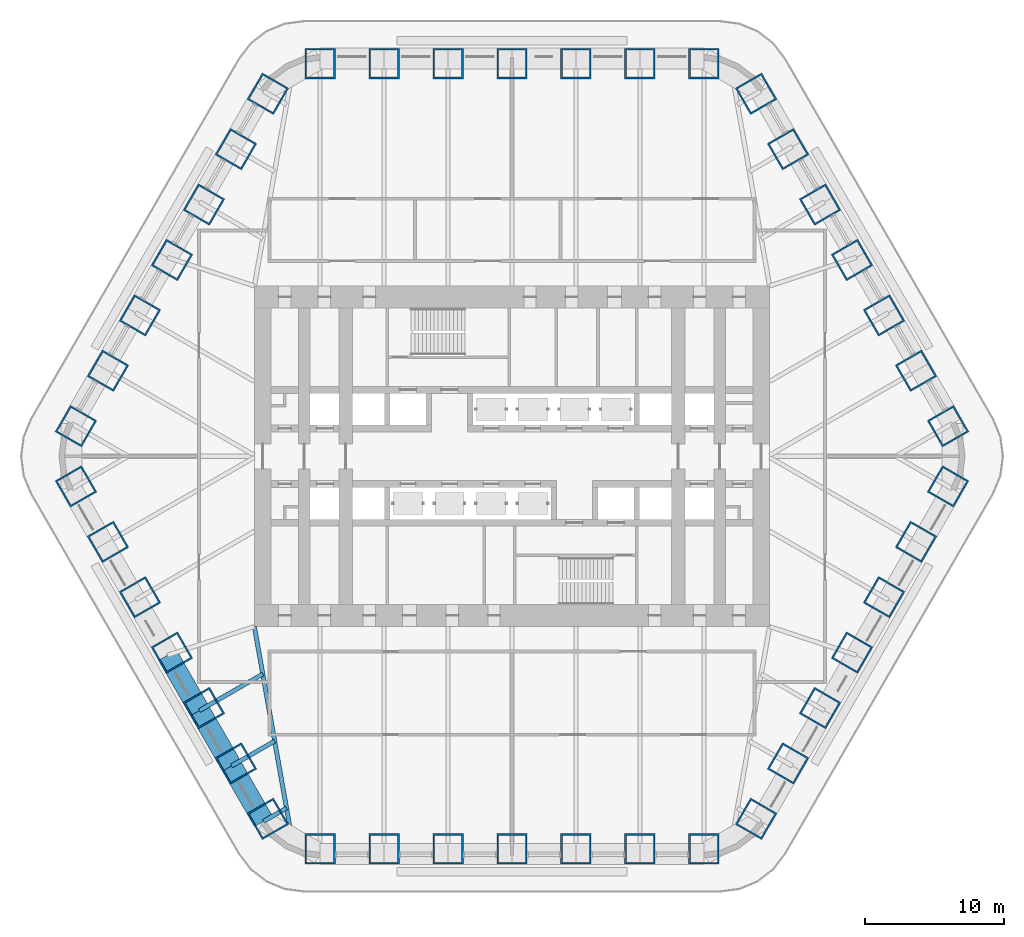
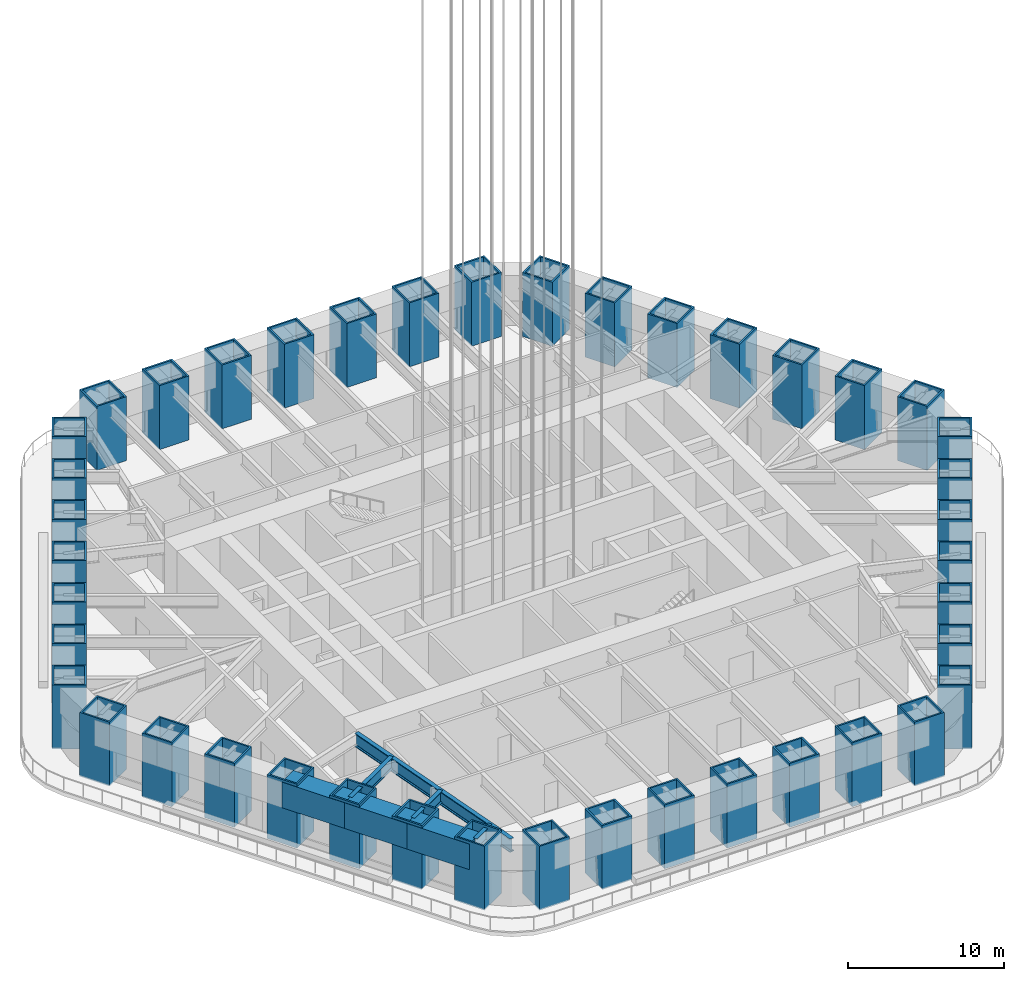
# One storey, part 1 of 15: 42 columns, 7 beams.
"""IFC4 building model written with IfcOpenShell, lengths in metres."""

from ifc_helpers import new_model, si_unit, direction, frame, origin, origin_2d, place, context, subcontext, project, spatial, rectangle, hollow_rectangle, i_section, extrude, material, material_profile, profile_set, type_object, element, save


model = new_model("IFC4")

# Units and contexts
model_context = context("Model", 3, precision=1e-05, world=origin(), true_north=direction((0.0, 1.0)))
body_context = subcontext(model_context, "Body", "Model", "MODEL_VIEW")
ifc_project = project(units=[si_unit("LENGTHUNIT", "METRE"), si_unit("AREAUNIT", "SQUARE_METRE"), si_unit("VOLUMEUNIT", "CUBIC_METRE"), si_unit("PLANEANGLEUNIT", "RADIAN"), si_unit("MASSUNIT", "GRAM", prefix="KILO")], contexts=[model_context])

# Site, building, storey
site_placement = place(None, origin())
site = spatial("IfcSite", under=ifc_project, at=site_placement, CompositionType="ELEMENT")
building_placement = place(site_placement, origin())
building = spatial("IfcBuilding", under=site, at=building_placement, Name="Tarfa Lantern Tower", CompositionType="ELEMENT")
storey_placement = place(building_placement, frame((0.0, 0.0, 210.5)))
storey = spatial("IfcBuildingStorey", under=building, at=storey_placement, Name="L47", CompositionType="ELEMENT", Elevation=210.5)

# Columns
ifc_material_1 = material(Name="Steel S460M", Category="steel")
ifc_material_profile_1 = material_profile(ifc_material_1, hollow_rectangle(XDim=2.199951171875, YDim=2.199951171875, WallThickness=0.1201171875, at=origin_2d()), Name="BOX2200x2200x120")
ifc_profile_set_1 = profile_set([ifc_material_profile_1], Name="Steel S460M")
column_type = type_object("IfcColumnType", Name="TU2 BOX2200x2200x120", PredefinedType="COLUMN", material=ifc_profile_set_1)
for number, where, z_axis, x_axis, name in (
    (1, (31.47998046875, 2.175048828125, 0.0), (0.0, 0.0, 1.0), (-0.5, 0.866025403784, 0.0), "Tube column NE0"),
    (2, (29.170654296875, 6.175048828125, 0.0), (0.0, 0.0, 1.0), (-0.5, 0.866025403784, 0.0), "Tube column NE1"),
    (3, (26.861328125, 10.175048828125, 0.0), (0.0, 0.0, 1.0), (-0.5, 0.866025403784, 0.0), "Tube column NE2"),
    (4, (24.5517578125, 14.175048828125, 0.0), (0.0, 0.0, 1.0), (-0.5, 0.866025403784, 0.0), "Tube column NE3"),
    (5, (22.242431640625, 18.175048828125, 0.0), (0.0, 0.0, 1.0), (-0.5, 0.866025403784, 0.0), "Tube column NE4"),
    (6, (19.93310546875, 22.175048828125, 0.0), (0.0, 0.0, 1.0), (-0.5, 0.866025403784, 0.0), "Tube column NE5"),
    (7, (17.62353515625, 26.175048828125, 0.0), (0.0, 0.0, 1.0), (-0.5, 0.866025403784, 0.0), "Tube column NE6"),
    (8, (13.8564453125, 28.35009765625, 0.0), (0.0, 0.0, 1.0), (-1.0, 0.0, 0.0), "Tube column N0"),
    (9, (9.237548828125, 28.35009765625, 0.0), (0.0, 0.0, 1.0), (-1.0, 0.0, 0.0), "Tube column N1"),
    (10, (4.618896484375, 28.35009765625, 0.0), (0.0, 0.0, 1.0), (-1.0, 0.0, 0.0), "Tube column N2"),
    (11, (0.0, 28.35009765625, 0.0), (0.0, 0.0, 1.0), (-1.0, 0.0, 0.0), "Tube column N3"),
    (12, (-4.618896484375, 28.35009765625, 0.0), (0.0, 0.0, 1.0), (-1.0, 0.0, 0.0), "Tube column N4"),
    (13, (-9.237548828125, 28.35009765625, 0.0), (0.0, 0.0, 1.0), (-1.0, 0.0, 0.0), "Tube column N5"),
    (14, (-13.8564453125, 28.35009765625, 0.0), (0.0, 0.0, 1.0), (-1.0, 0.0, 0.0), "Tube column N6"),
    (15, (-17.62353515625, 26.175048828125, 0.0), (0.0, 0.0, 1.0), (-0.5, -0.866025403784, 0.0), "Tube column NW0"),
    (16, (-19.93310546875, 22.175048828125, 0.0), (0.0, 0.0, 1.0), (-0.5, -0.866025403784, 0.0), "Tube column NW1"),
    (17, (-22.242431640625, 18.175048828125, 0.0), (0.0, 0.0, 1.0), (-0.5, -0.866025403784, 0.0), "Tube column NW2"),
    (18, (-24.5517578125, 14.175048828125, 0.0), (0.0, 0.0, 1.0), (-0.5, -0.866025403784, 0.0), "Tube column NW3"),
    (19, (-26.861328125, 10.175048828125, 0.0), (0.0, 0.0, 1.0), (-0.5, -0.866025403784, 0.0), "Tube column NW4"),
    (20, (-29.170654296875, 6.175048828125, 0.0), (0.0, 0.0, 1.0), (-0.5, -0.866025403784, 0.0), "Tube column NW5"),
    (21, (-31.47998046875, 2.175048828125, 0.0), (0.0, 0.0, 1.0), (-0.5, -0.866025403784, 0.0), "Tube column NW6"),
    (22, (-31.47998046875, -2.175048828125, 0.0), (0.0, 0.0, 1.0), (0.5, -0.866025403784, 0.0), "Tube column SW0"),
    (23, (-29.170654296875, -6.175048828125, 0.0), (0.0, 0.0, 1.0), (0.5, -0.866025403784, 0.0), "Tube column SW1"),
    (24, (-26.861328125, -10.175048828125, 0.0), (0.0, 0.0, 1.0), (0.5, -0.866025403784, 0.0), "Tube column SW2"),
    (25, (-24.5517578125, -14.175048828125, 0.0), (0.0, 0.0, 1.0), (0.5, -0.866025403784, 0.0), "Tube column SW3"),
    (26, (-22.242431640625, -18.175048828125, 0.0), (0.0, 0.0, 1.0), (0.5, -0.866025403784, 0.0), "Tube column SW4"),
    (27, (-19.93310546875, -22.175048828125, 0.0), (0.0, 0.0, 1.0), (0.5, -0.866025403784, 0.0), "Tube column SW5"),
    (28, (-17.62353515625, -26.175048828125, 0.0), (0.0, 0.0, 1.0), (0.5, -0.866025403784, 0.0), "Tube column SW6"),
    (29, (-13.8564453125, -28.35009765625, 0.0), (0.0, 0.0, 1.0), (1.0, 0.0, 0.0), "Tube column S0"),
    (30, (-9.237548828125, -28.35009765625, 0.0), (0.0, 0.0, 1.0), (1.0, 0.0, 0.0), "Tube column S1"),
    (31, (-4.618896484375, -28.35009765625, 0.0), (0.0, 0.0, 1.0), (1.0, 0.0, 0.0), "Tube column S2"),
    (32, (0.0, -28.35009765625, 0.0), (0.0, 0.0, 1.0), (1.0, 0.0, 0.0), "Tube column S3"),
    (33, (4.618896484375, -28.35009765625, 0.0), (0.0, 0.0, 1.0), (1.0, 0.0, 0.0), "Tube column S4"),
    (34, (9.237548828125, -28.35009765625, 0.0), (0.0, 0.0, 1.0), (1.0, 0.0, 0.0), "Tube column S5"),
    (35, (13.8564453125, -28.35009765625, 0.0), (0.0, 0.0, 1.0), (1.0, 0.0, 0.0), "Tube column S6"),
    (36, (17.62353515625, -26.175048828125, 0.0), (0.0, 0.0, 1.0), (0.5, 0.866025403784, 0.0), "Tube column SE0"),
    (37, (19.93310546875, -22.175048828125, 0.0), (0.0, 0.0, 1.0), (0.5, 0.866025403784, 0.0), "Tube column SE1"),
    (38, (22.242431640625, -18.175048828125, 0.0), (0.0, 0.0, 1.0), (0.5, 0.866025403784, 0.0), "Tube column SE2"),
    (39, (24.5517578125, -14.175048828125, 0.0), (0.0, 0.0, 1.0), (0.5, 0.866025403784, 0.0), "Tube column SE3"),
    (40, (26.861328125, -10.175048828125, 0.0), (0.0, 0.0, 1.0), (0.5, 0.866025403784, 0.0), "Tube column SE4"),
    (41, (29.170654296875, -6.175048828125, 0.0), (0.0, 0.0, 1.0), (0.5, 0.866025403784, 0.0), "Tube column SE5"),
    (42, (31.47998046875, -2.175048828125, 0.0), (0.0, 0.0, 1.0), (0.5, 0.866025403784, 0.0), "Tube column SE6"),
):
    element("IfcColumn", number, at=place(storey_placement, frame(where, z_axis=z_axis, x_axis=x_axis)), inside=storey, type_object=column_type, Name=name, PredefinedType="COLUMN", context=body_context, shape_type="SweptSolid", body=[
        extrude(hollow_rectangle(XDim=2.199951171875, YDim=2.199951171875, WallThickness=0.1201171875, at=origin_2d()), origin(), (0.0, 0.0, 1.0), 5.0),
    ])

# Beams
ifc_material_2 = material(Name="Concrete C80/95", Category="concrete")
ifc_material_profile_2 = material_profile(ifc_material_2, rectangle(XDim=1.5, YDim=2.0, at=origin_2d()), Name="RC 1500x2000")
ifc_profile_set_2 = profile_set([ifc_material_profile_2], Name="Concrete C80/95")
beam_type_1 = type_object("IfcBeamType", Name="RB3 RC 1500x2000", PredefinedType="BEAM", material=ifc_profile_set_2)
beam_1_placement = place(storey_placement, frame((-24.872314453125, -14.360107421875, 3.800048828125), z_axis=(0.500027479704, -0.866009537788, 0.0), x_axis=(0.866009537788, 0.500027479704, 0.0)))
element("IfcBeam", 43, at=beam_1_placement, inside=storey, type_object=beam_type_1, Name="Edge beam SW3", PredefinedType="BEAM", context=body_context, shape_type="SweptSolid", body=[
    extrude(rectangle(XDim=1.5, YDim=2.0, at=origin_2d()), origin(), (0.0, 0.0, 1.0), 4.618896484375),
])
for number, where, z_axis, x_axis, name in (
    (44, (-22.562744140625, -18.360107421875, 3.800048828125), (0.499987836815, -0.866032426089, 0.0), (0.866032426089, 0.499987836815, 0.0), "Edge beam SW4"),
    (45, (-20.25341796875, -22.360107421875, 3.800048828125), (0.499987836815, -0.866032426089, 0.0), (0.866032426089, 0.499987836815, 0.0), "Edge beam SW5"),
):
    element("IfcBeam", number, at=place(storey_placement, frame(where, z_axis=z_axis, x_axis=x_axis)), inside=storey, type_object=beam_type_1, Name=name, PredefinedType="BEAM", context=body_context, shape_type="SweptSolid", body=[
        extrude(rectangle(XDim=1.5, YDim=2.0, at=origin_2d()), origin(), (0.0, 0.0, 1.0), 4.61865234375),
    ])
ifc_material_profile_3 = material_profile(ifc_material_1, i_section(OverallWidth=0.314208984375, OverallDepth=1.055908203125, WebThickness=0.035888671875, FlangeThickness=0.06396484375, FilletRadius=0.030029296875, at=origin_2d()), Name="UB1016x305x584")
ifc_profile_set_3 = profile_set([ifc_material_profile_3], Name="Steel S460M")
beam_type_2 = type_object("IfcBeamType", Name="UB1016x305x584", PredefinedType="BEAM", material=ifc_profile_set_3)
beam_2_placement = place(storey_placement, frame((-18.60009765625, -12.300048828125, 4.27197265625), z_axis=(0.174445795648, -0.984666778347, 0.0), x_axis=(0.984666778347, 0.174445795648, 0.0)))
element("IfcBeam", 46, at=beam_2_placement, inside=storey, type_object=beam_type_2, Name="Hip girder SW", PredefinedType="BEAM", context=body_context, shape_type="SweptSolid", body=[
    extrude(i_section(OverallWidth=0.314208984375, OverallDepth=1.055908203125, WebThickness=0.035888671875, FlangeThickness=0.06396484375, FilletRadius=0.030029296875, at=origin_2d()), origin(), (0.0, 0.0, 1.0), 15.477294921875),
])
ifc_material_profile_4 = material_profile(ifc_material_1, i_section(OverallWidth=0.305419921875, OverallDepth=0.91845703125, WebThickness=0.017333984375, FlangeThickness=0.02783203125, FilletRadius=0.01904296875, at=origin_2d()), Name="UB914x305x253")
ifc_profile_set_4 = profile_set([ifc_material_profile_4], Name="Steel S460M")
beam_type_3 = type_object("IfcBeamType", Name="UB914x305x253", PredefinedType="BEAM", material=ifc_profile_set_4)
beam_3_placement = place(storey_placement, frame((-22.562744140625, -18.360107421875, 4.3408203125), z_axis=(0.866016044516, 0.500016210377, 0.0), x_axis=(-0.500016210377, 0.866016044516, 0.0)))
element("IfcBeam", 47, at=beam_3_placement, inside=storey, type_object=beam_type_3, Name="Floor beam SW4", PredefinedType="BEAM", context=body_context, shape_type="SweptSolid", body=[
    extrude(i_section(OverallWidth=0.305419921875, OverallDepth=0.91845703125, WebThickness=0.017333984375, FlangeThickness=0.02783203125, FilletRadius=0.01904296875, at=origin_2d()), origin(), (0.0, 0.0, 1.0), 5.275634765625),
])
beam_4_placement = place(storey_placement, frame((-20.25341796875, -22.360107421875, 4.3408203125), z_axis=(0.866009351323, 0.500027802648, 0.0), x_axis=(-0.500027802648, 0.866009351323, 0.0)))
element("IfcBeam", 48, at=beam_4_placement, inside=storey, type_object=beam_type_3, Name="Floor beam SW5", PredefinedType="BEAM", context=body_context, shape_type="SweptSolid", body=[
    extrude(i_section(OverallWidth=0.305419921875, OverallDepth=0.91845703125, WebThickness=0.017333984375, FlangeThickness=0.02783203125, FilletRadius=0.01904296875, at=origin_2d()), origin(), (0.0, 0.0, 1.0), 3.598876953125),
])
beam_5_placement = place(storey_placement, frame((-17.944091796875, -26.360107421875, 4.3408203125), z_axis=(0.865990979626, 0.500059619652, 0.0), x_axis=(-0.500059619652, 0.865990979626, 0.0)))
element("IfcBeam", 49, at=beam_5_placement, inside=storey, type_object=beam_type_3, Name="Floor beam SW6", PredefinedType="BEAM", context=body_context, shape_type="SweptSolid", body=[
    extrude(i_section(OverallWidth=0.305419921875, OverallDepth=0.91845703125, WebThickness=0.017333984375, FlangeThickness=0.02783203125, FilletRadius=0.01904296875, at=origin_2d()), origin(), (0.0, 0.0, 1.0), 1.922119140625),
])

save(model, "model.ifc")
